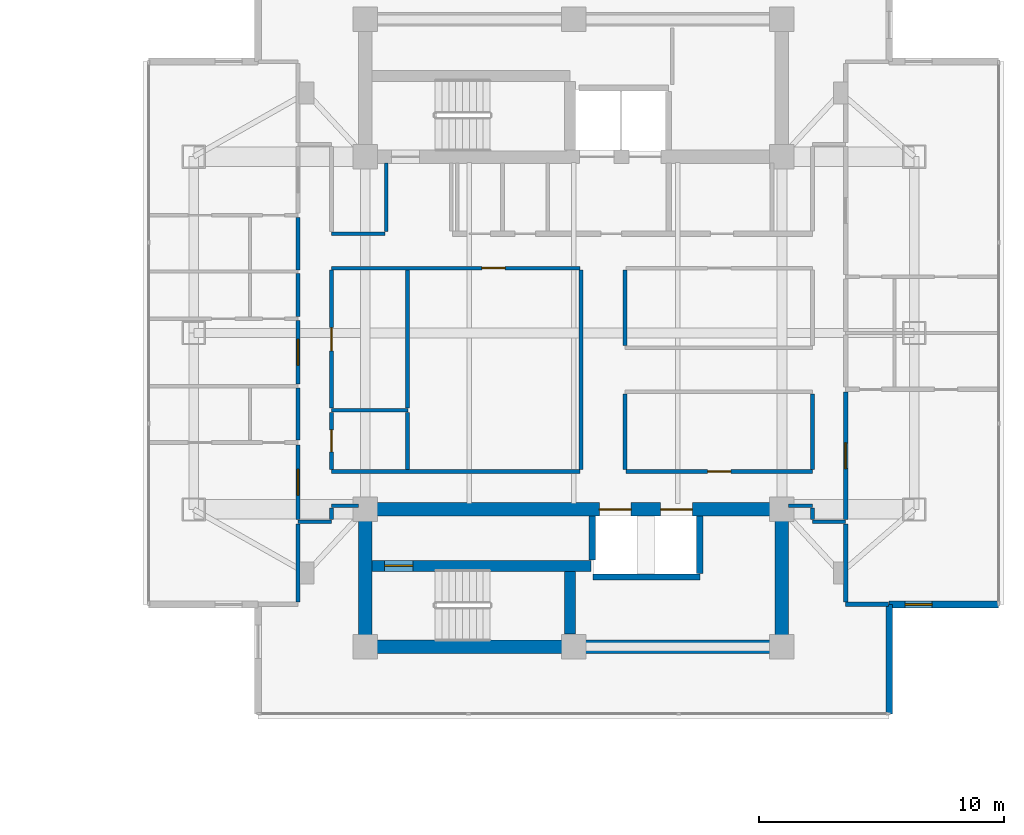
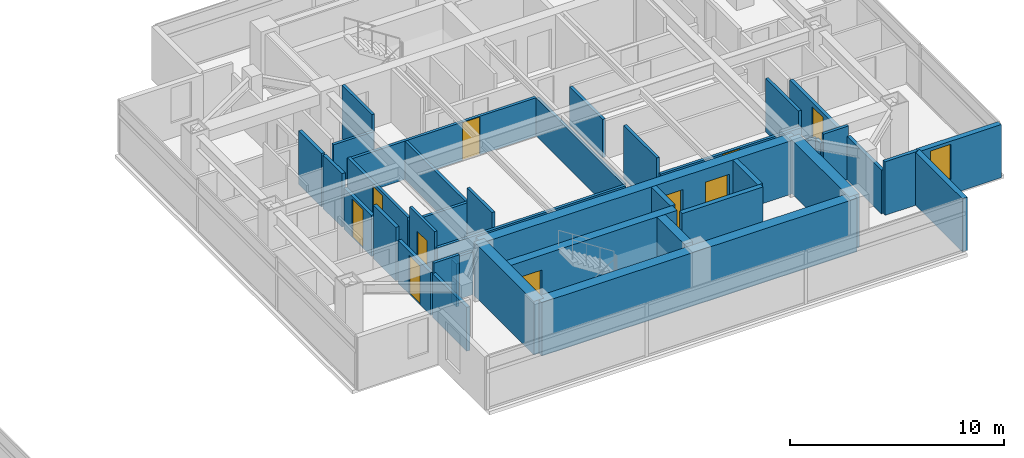
# One storey, part 16 of 24: 40 walls, 10 doors, 1 window, 11 openings.
"""IFC4 building model written with IfcOpenShell, lengths in metres."""

from ifc_helpers import new_model, si_unit, direction, frame, frame_2d, origin, place, context, subcontext, project, spatial, rectangle, extrude, material, layer, layer_set, type_object, element, fill, save


model = new_model("IFC4")

# Units and contexts
model_context = context("Model", 3, precision=1e-05, world=origin(), true_north=direction((0.0, 1.0)))
body_context = subcontext(model_context, "Body", "Model", "MODEL_VIEW")
ifc_project = project(units=[si_unit("LENGTHUNIT", "METRE"), si_unit("AREAUNIT", "SQUARE_METRE"), si_unit("VOLUMEUNIT", "CUBIC_METRE"), si_unit("PLANEANGLEUNIT", "RADIAN"), si_unit("MASSUNIT", "GRAM", prefix="KILO")], contexts=[model_context])

# Site, building, storey
site_placement = place(None, origin())
site = spatial("IfcSite", under=ifc_project, at=site_placement, CompositionType="ELEMENT")
building_placement = place(site_placement, origin())
building = spatial("IfcBuilding", under=site, at=building_placement, Name="Mirazonda Arch Towers", CompositionType="ELEMENT")
storey_placement = place(building_placement, frame((0.0, 0.0, 164.14990234375)))
storey = spatial("IfcBuildingStorey", under=building, at=storey_placement, Name="L46", CompositionType="ELEMENT", Elevation=164.14990234375)

# Wall, opening, door
ifc_material_1 = material(Name="Concrete C50/60", Category="concrete")
ifc_layer_1 = layer(ifc_material_1, 0.449951171875, Name="WALL-CORE-450")
ifc_layer_set_1 = layer_set([ifc_layer_1], Name="Concrete C50/60")
wall_type_1 = type_object("IfcWallType", Name="WALL-CORE-450", PredefinedType="SHEAR", material=ifc_layer_set_1)
wall_1_placement = place(storey_placement, frame((68.27001953125, 18.5, 0.0), z_axis=(0.0, 0.0, 1.0), x_axis=(1.0, 0.0, 0.0)))
wall_1 = element("IfcWall", 1, at=wall_1_placement, inside=storey, type_object=wall_type_1, Name="L46 Stair Core Shear Wall 014", PredefinedType="SHEAR", context=body_context, shape_type="SweptSolid", body=[
    extrude(rectangle(XDim=8.949951171875, YDim=0.449951171875, at=frame_2d((4.47509765625, 0.0))), origin(), (0.0, 0.0, 1.0), 3.050048828125),
])
opening_1_placement = place(wall_1_placement, frame((0.52001953125, 0.0, 0.0)))
opening_1 = element("IfcOpeningElement", 2, at=opening_1_placement, cuts=wall_1, Name="Opening DR-135", PredefinedType="OPENING", context=body_context, shape_type="SweptSolid", body=[
    extrude(rectangle(XDim=1.14990234375, YDim=2.199951171875, at=frame_2d((0.574951171875, 1.10009765625))), frame((0.0, 0.23486328125, 0.0), z_axis=(0.0, -1.0, 0.0), x_axis=(1.0, 0.0, 0.0)), (0.0, 0.0, 1.0), 0.469970703125),
])
ifc_material_2 = material(Name="Architectural Brushed Steel S355", Category="steel")
door_type_1 = type_object("IfcDoorType", Name="DOOR-STAIR-FD90-1150", OperationType="NOTDEFINED", PredefinedType="DOOR", material=ifc_material_2)
door_1_placement = place(opening_1_placement, origin())
door_1 = element("IfcDoor", 3, at=door_1_placement, inside=storey, type_object=door_type_1, Name="L46 East Protected Stair South Door", OperationType="SINGLE_SWING_RIGHT", OverallHeight=2.199951171875, OverallWidth=1.14990234375, PredefinedType="DOOR", context=body_context, shape_type="SweptSolid", body=[
    extrude(rectangle(XDim=1.14990234375, YDim=2.199951171875, at=frame_2d((0.574951171875, 1.10009765625))), frame((0.0, 0.02490234375, 0.0), z_axis=(0.0, -1.0, 0.0), x_axis=(1.0, 0.0, 0.0)), (0.0, 0.0, 1.0), 0.050048828125),
])
fill(opening_1, door_1)

# Walls
wall_2_placement = place(storey_placement, frame((76.360107421875, 15.715087890625, 0.0), z_axis=(0.0, 0.0, 1.0), x_axis=(0.0, 1.0, 0.0)))
element("IfcWall", 4, at=wall_2_placement, inside=storey, type_object=wall_type_1, Name="L46 Stair Core Shear Wall 141", PredefinedType="SHEAR", context=body_context, shape_type="SweptSolid", body=[
    extrude(rectangle(XDim=2.5498046875, YDim=0.449951171875, at=frame_2d((1.27490234375, 0.0))), origin(), (0.0, 0.0, 1.0), 3.050048828125),
])
ifc_layer_2 = layer(ifc_material_1, 0.550048828125, Name="WALL-CORE-550")
ifc_layer_set_2 = layer_set([ifc_layer_2], Name="Concrete C50/60")
wall_type_2 = type_object("IfcWallType", Name="WALL-CORE-550", PredefinedType="SHEAR", material=ifc_layer_set_2)
wall_3_placement = place(storey_placement, frame((68.0, 15.199951171875, 0.0), z_axis=(0.0, 0.0, 1.0), x_axis=(1.0, 0.0, 0.0)))
element("IfcWall", 5, at=wall_3_placement, inside=storey, type_object=wall_type_2, Name="L46 T2S-S Core Shear Wall", PredefinedType="SHEAR", context=body_context, shape_type="SweptSolid", body=[
    extrude(rectangle(XDim=17.0, YDim=0.550048828125, at=frame_2d((8.5, 0.0))), origin(), (0.0, 0.0, 1.0), 3.050048828125),
])
for number, where, z_axis, x_axis, name in (
    (6, (68.0, 15.199951171875, 0.0), (0.0, 0.0, 1.0), (0.0, 1.0, 0.0), "L46 T2S-W Core Shear Wall"),
    (7, (85.0, 15.199951171875, 0.0), (0.0, 0.0, 1.0), (0.0, 1.0, 0.0), "L46 T2S-E Core Shear Wall"),
):
    element("IfcWall", number, at=place(storey_placement, frame(where, z_axis=z_axis, x_axis=x_axis)), inside=storey, type_object=wall_type_2, Name=name, PredefinedType="SHEAR", context=body_context, shape_type="SweptSolid", body=[
        extrude(rectangle(XDim=5.60009765625, YDim=0.550048828125, at=frame_2d((2.800048828125, 0.0))), origin(), (0.0, 0.0, 1.0), 3.050048828125),
    ])

# Wall, openings, doors
wall_4_placement = place(storey_placement, frame((68.0, 20.800048828125, 0.0), z_axis=(0.0, 0.0, 1.0), x_axis=(1.0, 0.0, 0.0)))
wall_4 = element("IfcWall", 8, at=wall_4_placement, inside=storey, type_object=wall_type_2, Name="L46 T2S-N Core Shear Wall", PredefinedType="SHEAR", context=body_context, shape_type="SweptSolid", body=[
    extrude(rectangle(XDim=17.0, YDim=0.550048828125, at=frame_2d((8.5, 0.0))), origin(), (0.0, 0.0, 1.0), 3.050048828125),
])
opening_2_placement = place(wall_4_placement, frame((9.550048828125, 0.0, 0.0)))
opening_2 = element("IfcOpeningElement", 9, at=opening_2_placement, cuts=wall_4, Name="Opening LD-111", PredefinedType="OPENING", context=body_context, shape_type="SweptSolid", body=[
    extrude(rectangle(XDim=1.300048828125, YDim=2.300048828125, at=frame_2d((0.64990234375, 1.14990234375))), frame((0.0, 0.284912109375, 0.0), z_axis=(0.0, -1.0, 0.0), x_axis=(1.0, 0.0, 0.0)), (0.0, 0.0, 1.0), 0.570068359375),
])
opening_3_placement = place(wall_4_placement, frame((12.050048828125, 0.0, 0.0)))
opening_3 = element("IfcOpeningElement", 10, at=opening_3_placement, cuts=wall_4, Name="Opening LD-111", PredefinedType="OPENING", context=body_context, shape_type="SweptSolid", body=[
    extrude(rectangle(XDim=1.300048828125, YDim=2.300048828125, at=frame_2d((0.64990234375, 1.14990234375))), frame((0.0, 0.284912109375, 0.0), z_axis=(0.0, -1.0, 0.0), x_axis=(1.0, 0.0, 0.0)), (0.0, 0.0, 1.0), 0.570068359375),
])
door_type_2 = type_object("IfcDoorType", Name="DOOR-LIFT-LAND-1300", OperationType="NOTDEFINED", PredefinedType="DOOR", material=ifc_material_2)
door_2_placement = place(opening_2_placement, origin())
door_2 = element("IfcDoor", 11, at=door_2_placement, inside=storey, type_object=door_type_2, Name="L46 Lift Landing Sliding Door PL-T2H1", OperationType="DOUBLE_DOOR_SLIDING", OverallHeight=2.300048828125, OverallWidth=1.300048828125, PredefinedType="DOOR", context=body_context, shape_type="SweptSolid", body=[
    extrude(rectangle(XDim=1.300048828125, YDim=2.300048828125, at=frame_2d((0.64990234375, 1.14990234375))), frame((0.0, 0.02490234375, 0.0), z_axis=(0.0, -1.0, 0.0), x_axis=(1.0, 0.0, 0.0)), (0.0, 0.0, 1.0), 0.050048828125),
])
fill(opening_2, door_2)
door_3_placement = place(opening_3_placement, origin())
door_3 = element("IfcDoor", 12, at=door_3_placement, inside=storey, type_object=door_type_2, Name="L46 Lift Landing Sliding Door PL-T2H2", OperationType="DOUBLE_DOOR_SLIDING", OverallHeight=2.300048828125, OverallWidth=1.300048828125, PredefinedType="DOOR", context=body_context, shape_type="SweptSolid", body=[
    extrude(rectangle(XDim=1.300048828125, YDim=2.300048828125, at=frame_2d((0.64990234375, 1.14990234375))), frame((0.0, 0.02490234375, 0.0), z_axis=(0.0, -1.0, 0.0), x_axis=(1.0, 0.0, 0.0)), (0.0, 0.0, 1.0), 0.050048828125),
])
fill(opening_3, door_3)

# Wall, opening, window
ifc_material_3 = material(Name="Precast Concrete C40/50", Category="concrete")
ifc_layer_3 = layer(ifc_material_3, 0.280029296875, Name="WALL-EXT-WALL-280")
ifc_layer_set_3 = layer_set([ifc_layer_3], Name="Precast Concrete C40/50")
wall_type_3 = type_object("IfcWallType", Name="WALL-EXT-WALL-280", PredefinedType="SOLIDWALL", material=ifc_layer_set_3)
wall_5_placement = place(storey_placement, frame((89.38134765625, 16.923828125, 0.0), z_axis=(0.0, 0.0, 1.0), x_axis=(1.0, 0.0, 0.0)))
wall_5 = element("IfcWall", 13, at=wall_5_placement, inside=storey, type_object=wall_type_3, Name="L46 T2 Corner Notch Return Wall WL-L46-T2-CSE1", PredefinedType="SOLIDWALL", context=body_context, shape_type="SweptSolid", body=[
    extrude(rectangle(XDim=4.465087890625, YDim=0.280029296875, at=frame_2d((2.232421875, 0.0))), origin(), (0.0, 0.0, 1.0), 3.030029296875),
])
opening_4_placement = place(wall_5_placement, frame((0.64990234375, 0.0, 0.85009765625)))
opening_4 = element("IfcOpeningElement", 14, at=opening_4_placement, cuts=wall_5, Name="Opening WN-108", PredefinedType="OPENING", context=body_context, shape_type="SweptSolid", body=[
    extrude(rectangle(XDim=1.10009765625, YDim=2.0, at=frame_2d((0.550048828125, 1.0))), frame((0.0, 0.14990234375, 0.0), z_axis=(0.0, -1.0, 0.0), x_axis=(1.0, 0.0, 0.0)), (0.0, 0.0, 1.0), 0.300048828125),
])
ifc_material_4 = material(Name="Insulated Low-E Solar Glass", Category="glass")
window_type = type_object("IfcWindowType", Name="WIN-NOTCH-1100x2000", PartitioningType="SINGLE_PANEL", PredefinedType="WINDOW", material=ifc_material_4)
window_placement = place(opening_4_placement, origin())
window = element("IfcWindow", 15, at=window_placement, inside=storey, type_object=window_type, Name="L46 Punched Facade Window WN-L46-T2-CSE1", OverallHeight=2.0, OverallWidth=1.10009765625, PartitioningType="SINGLE_PANEL", PredefinedType="WINDOW", context=body_context, shape_type="SweptSolid", body=[
    extrude(rectangle(XDim=1.10009765625, YDim=2.0, at=frame_2d((0.550048828125, 1.0))), frame((0.0, 0.030029296875, 0.0), z_axis=(0.0, -1.0, 0.0), x_axis=(1.0, 0.0, 0.0)), (0.0, 0.0, 1.0), 0.06005859375),
])
fill(opening_4, window)

# Walls
wall_6_placement = place(storey_placement, frame((89.38134765625, 12.45849609375, 0.0), z_axis=(0.0, 0.0, 1.0), x_axis=(0.0, 1.0, 0.0)))
element("IfcWall", 16, at=wall_6_placement, inside=storey, type_object=wall_type_3, Name="L46 T2 Corner Notch Return Wall WL-L46-T2-CSE2", PredefinedType="SOLIDWALL", context=body_context, shape_type="SweptSolid", body=[
    extrude(rectangle(XDim=4.46533203125, YDim=0.280029296875, at=frame_2d((2.232666015625, 0.0))), origin(), (0.0, 0.0, 1.0), 3.030029296875),
])
ifc_material_5 = material(Name="Fire-Rated Gypsum Stud Partition")
ifc_layer_4 = layer(ifc_material_5, 0.14990234375, Name="WALL-PART-CORR-150")
ifc_layer_set_4 = layer_set([ifc_layer_4], Name="Fire-Rated Gypsum Stud Partition")
wall_type_4 = type_object("IfcWallType", Name="WALL-PART-CORR-150", PredefinedType="PARTITIONING", material=ifc_layer_set_4)
wall_7_placement = place(storey_placement, frame((65.25, 20.300048828125, 0.0), z_axis=(0.0, 0.0, 1.0), x_axis=(1.0, 0.0, 0.0)))
element("IfcWall", 17, at=wall_7_placement, inside=storey, type_object=wall_type_4, Name="L46 Interior Partition 017", PredefinedType="PARTITIONING", context=body_context, shape_type="SweptSolid", body=[
    extrude(rectangle(XDim=1.3701171875, YDim=0.14990234375, at=frame_2d((0.68505859375, 0.0))), origin(), (0.0, 0.0, 1.0), 3.050048828125),
])
wall_8_placement = place(storey_placement, frame((86.25, 20.300048828125, 0.0), z_axis=(0.0, 0.0, 1.0), x_axis=(1.0, 0.0, 0.0)))
element("IfcWall", 18, at=wall_8_placement, inside=storey, type_object=wall_type_4, Name="L46 Interior Partition 018", PredefinedType="PARTITIONING", context=body_context, shape_type="SweptSolid", body=[
    extrude(rectangle(XDim=1.35009765625, YDim=0.14990234375, at=frame_2d((0.675048828125, 0.0))), origin(), (0.0, 0.0, 1.0), 3.050048828125),
])
wall_9_placement = place(storey_placement, frame((66.6201171875, 20.949951171875, 0.0), z_axis=(0.0, 0.0, 1.0), x_axis=(1.0, 0.0, 0.0)))
element("IfcWall", 19, at=wall_9_placement, inside=storey, type_object=wall_type_4, Name="L46 Interior Partition 019", PredefinedType="PARTITIONING", context=body_context, shape_type="SweptSolid", body=[
    extrude(rectangle(XDim=1.10986328125, YDim=0.14990234375, at=frame_2d((0.554931640625, 0.0))), origin(), (0.0, 0.0, 1.0), 2.442138671875),
])
wall_10_placement = place(storey_placement, frame((85.27001953125, 20.949951171875, 0.0), z_axis=(0.0, 0.0, 1.0), x_axis=(1.0, 0.0, 0.0)))
element("IfcWall", 20, at=wall_10_placement, inside=storey, type_object=wall_type_4, Name="L46 Interior Partition 020", PredefinedType="PARTITIONING", context=body_context, shape_type="SweptSolid", body=[
    extrude(rectangle(XDim=0.97998046875, YDim=0.14990234375, at=frame_2d((0.489990234375, 0.0))), origin(), (0.0, 0.0, 1.0), 2.442138671875),
])
wall_11_placement = place(storey_placement, frame((66.6201171875, 22.35009765625, 0.0), z_axis=(0.0, 0.0, 1.0), x_axis=(1.0, 0.0, 0.0)))
element("IfcWall", 21, at=wall_11_placement, inside=storey, type_object=wall_type_4, Name="L46 Interior Partition 022", PredefinedType="PARTITIONING", context=body_context, shape_type="SweptSolid", body=[
    extrude(rectangle(XDim=10.139892578125, YDim=0.14990234375, at=frame_2d((5.06982421875, 0.0))), origin(), (0.0, 0.0, 1.0), 2.18603515625),
])

# Wall, opening, door
wall_12_placement = place(storey_placement, frame((78.639892578125, 22.35009765625, 0.0), z_axis=(0.0, 0.0, 1.0), x_axis=(1.0, 0.0, 0.0)))
wall_12 = element("IfcWall", 22, at=wall_12_placement, inside=storey, type_object=wall_type_4, Name="L46 Interior Partition 023", PredefinedType="PARTITIONING", context=body_context, shape_type="SweptSolid", body=[
    extrude(rectangle(XDim=7.610107421875, YDim=0.14990234375, at=frame_2d((3.80517578125, 0.0))), origin(), (0.0, 0.0, 1.0), 2.18603515625),
])
opening_5_placement = place(wall_12_placement, frame((3.330078125, 0.0, 0.0)))
opening_5 = element("IfcOpeningElement", 23, at=opening_5_placement, cuts=wall_12, Name="Opening DR-104", PredefinedType="OPENING", context=body_context, shape_type="SweptSolid", body=[
    extrude(rectangle(XDim=0.949951171875, YDim=2.14990234375, at=frame_2d((0.47509765625, 1.074951171875))), frame((0.0, 0.0849609375, 0.0), z_axis=(0.0, -1.0, 0.0), x_axis=(1.0, 0.0, 0.0)), (0.0, 0.0, 1.0), 0.169921875),
])
door_type_3 = type_object("IfcDoorType", Name="DOOR-ROOM-950", OperationType="NOTDEFINED", PredefinedType="DOOR", material=ifc_material_2)
door_4_placement = place(opening_5_placement, origin())
door_4 = element("IfcDoor", 24, at=door_4_placement, inside=storey, type_object=door_type_3, Name="L46 L46 Tower 2 South-East Salon Door", OperationType="SINGLE_SWING_LEFT", OverallHeight=2.14990234375, OverallWidth=0.949951171875, PredefinedType="DOOR", context=body_context, shape_type="SweptSolid", body=[
    extrude(rectangle(XDim=0.949951171875, YDim=2.14990234375, at=frame_2d((0.47509765625, 1.074951171875))), frame((0.0, 0.02490234375, 0.0), z_axis=(0.0, -1.0, 0.0), x_axis=(1.0, 0.0, 0.0)), (0.0, 0.0, 1.0), 0.050048828125),
])
fill(opening_5, door_4)

# Wall
wall_13_placement = place(storey_placement, frame((66.6201171875, 24.85009765625, 0.0), z_axis=(0.0, 0.0, 1.0), x_axis=(1.0, 0.0, 0.0)))
element("IfcWall", 25, at=wall_13_placement, inside=storey, type_object=wall_type_4, Name="L46 Interior Partition 026", PredefinedType="PARTITIONING", context=body_context, shape_type="SweptSolid", body=[
    extrude(rectangle(XDim=3.1298828125, YDim=0.14990234375, at=frame_2d((1.56494140625, 0.0))), origin(), (0.0, 0.0, 1.0), 2.18603515625),
])

# Wall, opening, door
wall_14_placement = place(storey_placement, frame((66.6201171875, 30.64990234375, 0.0), z_axis=(0.0, 0.0, 1.0), x_axis=(1.0, 0.0, 0.0)))
wall_14 = element("IfcWall", 26, at=wall_14_placement, inside=storey, type_object=wall_type_4, Name="L46 Interior Partition 040", PredefinedType="PARTITIONING", context=body_context, shape_type="SweptSolid", body=[
    extrude(rectangle(XDim=10.139892578125, YDim=0.14990234375, at=frame_2d((5.06982421875, 0.0))), origin(), (0.0, 0.0, 1.0), 2.18603515625),
])
opening_6_placement = place(wall_14_placement, frame((6.139892578125, 0.0, 0.0)))
opening_6 = element("IfcOpeningElement", 27, at=opening_6_placement, cuts=wall_14, Name="Opening DR-104", PredefinedType="OPENING", context=body_context, shape_type="SweptSolid", body=[
    extrude(rectangle(XDim=0.949951171875, YDim=2.14990234375, at=frame_2d((0.47509765625, 1.074951171875))), frame((0.0, 0.0849609375, 0.0), z_axis=(0.0, -1.0, 0.0), x_axis=(1.0, 0.0, 0.0)), (0.0, 0.0, 1.0), 0.169921875),
])
door_5_placement = place(opening_6_placement, origin())
door_5 = element("IfcDoor", 28, at=door_5_placement, inside=storey, type_object=door_type_3, Name="L46 L46 East Courtyard Study Door", OperationType="SINGLE_SWING_RIGHT", OverallHeight=2.14990234375, OverallWidth=0.949951171875, PredefinedType="DOOR", context=body_context, shape_type="SweptSolid", body=[
    extrude(rectangle(XDim=0.949951171875, YDim=2.14990234375, at=frame_2d((0.47509765625, 1.074951171875))), frame((0.0, 0.02490234375, 0.0), z_axis=(0.0, -1.0, 0.0), x_axis=(1.0, 0.0, 0.0)), (0.0, 0.0, 1.0), 0.050048828125),
])
fill(opening_6, door_5)

# Walls
wall_15_placement = place(storey_placement, frame((66.6201171875, 32.050048828125, 0.0), z_axis=(0.0, 0.0, 1.0), x_axis=(1.0, 0.0, 0.0)))
element("IfcWall", 29, at=wall_15_placement, inside=storey, type_object=wall_type_4, Name="L46 Interior Partition 043", PredefinedType="PARTITIONING", context=body_context, shape_type="SweptSolid", body=[
    extrude(rectangle(XDim=2.179931640625, YDim=0.14990234375, at=frame_2d((1.08984375, 0.0))), origin(), (0.0, 0.0, 1.0), 2.18603515625),
])
wall_16_placement = place(storey_placement, frame((66.6201171875, 20.385009765625, 0.0), z_axis=(0.0, 0.0, 1.0), x_axis=(0.0, 1.0, 0.0)))
element("IfcWall", 30, at=wall_16_placement, inside=storey, type_object=wall_type_4, Name="L46 Interior Partition 130", PredefinedType="PARTITIONING", context=body_context, shape_type="SweptSolid", body=[
    extrude(rectangle(XDim=0.47998046875, YDim=0.14990234375, at=frame_2d((0.239990234375, 0.0))), origin(), (0.0, 0.0, 1.0), 2.442138671875),
])

# Wall, opening, door
wall_17_placement = place(storey_placement, frame((66.6201171875, 22.43505859375, 0.0), z_axis=(0.0, 0.0, 1.0), x_axis=(0.0, 1.0, 0.0)))
wall_17 = element("IfcWall", 31, at=wall_17_placement, inside=storey, type_object=wall_type_4, Name="L46 Interior Partition 131", PredefinedType="PARTITIONING", context=body_context, shape_type="SweptSolid", body=[
    extrude(rectangle(XDim=2.329833984375, YDim=0.14990234375, at=frame_2d((1.1650390625, 0.0))), origin(), (0.0, 0.0, 1.0), 3.050048828125),
])
opening_7_placement = place(wall_17_placement, frame((0.715087890625, 0.0, 0.0)))
opening_7 = element("IfcOpeningElement", 32, at=opening_7_placement, cuts=wall_17, Name="Opening DR-120", PredefinedType="OPENING", context=body_context, shape_type="SweptSolid", body=[
    extrude(rectangle(XDim=0.89990234375, YDim=2.10009765625, at=frame_2d((0.449951171875, 1.050048828125))), frame((0.0, 0.0849609375, 0.0), z_axis=(0.0, -1.0, 0.0), x_axis=(1.0, 0.0, 0.0)), (0.0, 0.0, 1.0), 0.169921875),
])
door_type_4 = type_object("IfcDoorType", Name="DOOR-WC-900", OperationType="NOTDEFINED", PredefinedType="DOOR", material=ifc_material_2)
door_6_placement = place(opening_7_placement, origin())
door_6 = element("IfcDoor", 33, at=door_6_placement, inside=storey, type_object=door_type_4, Name="L46 Tower 2 Common Accessible WC Door", OperationType="SINGLE_SWING_LEFT", OverallHeight=2.10009765625, OverallWidth=0.89990234375, PredefinedType="DOOR", context=body_context, shape_type="SweptSolid", body=[
    extrude(rectangle(XDim=0.89990234375, YDim=2.10009765625, at=frame_2d((0.449951171875, 1.050048828125))), frame((0.0, 0.02490234375, 0.0), z_axis=(0.0, -1.0, 0.0), x_axis=(1.0, 0.0, 0.0)), (0.0, 0.0, 1.0), 0.050048828125),
])
fill(opening_7, door_6)

wall_18_placement = place(storey_placement, frame((66.6201171875, 24.93505859375, 0.0), z_axis=(0.0, 0.0, 1.0), x_axis=(0.0, 1.0, 0.0)))
wall_18 = element("IfcWall", 34, at=wall_18_placement, inside=storey, type_object=wall_type_4, Name="L46 Interior Partition 132", PredefinedType="PARTITIONING", context=body_context, shape_type="SweptSolid", body=[
    extrude(rectangle(XDim=5.6298828125, YDim=0.14990234375, at=frame_2d((2.81494140625, 0.0))), origin(), (0.0, 0.0, 1.0), 2.34619140625),
])
opening_8_placement = place(wall_18_placement, frame((2.340087890625, 0.0, 0.0)))
opening_8 = element("IfcOpeningElement", 35, at=opening_8_placement, cuts=wall_18, Name="Opening DR-104", PredefinedType="OPENING", context=body_context, shape_type="SweptSolid", body=[
    extrude(rectangle(XDim=0.949951171875, YDim=2.14990234375, at=frame_2d((0.47509765625, 1.074951171875))), frame((0.0, 0.0849609375, 0.0), z_axis=(0.0, -1.0, 0.0), x_axis=(1.0, 0.0, 0.0)), (0.0, 0.0, 1.0), 0.169921875),
])
door_7_placement = place(opening_8_placement, origin())
door_7 = element("IfcDoor", 36, at=door_7_placement, inside=storey, type_object=door_type_3, Name="L46 L46 East Courtyard Reading Study Door", OperationType="SINGLE_SWING_LEFT", OverallHeight=2.14990234375, OverallWidth=0.949951171875, PredefinedType="DOOR", context=body_context, shape_type="SweptSolid", body=[
    extrude(rectangle(XDim=0.949951171875, YDim=2.14990234375, at=frame_2d((0.47509765625, 1.074951171875))), frame((0.0, 0.02490234375, 0.0), z_axis=(0.0, -1.0, 0.0), x_axis=(1.0, 0.0, 0.0)), (0.0, 0.0, 1.0), 0.050048828125),
])
fill(opening_8, door_7)

# Walls
wall_19_placement = place(storey_placement, frame((68.85009765625, 32.135009765625, 0.0), z_axis=(0.0, 0.0, 1.0), x_axis=(0.0, 1.0, 0.0)))
element("IfcWall", 37, at=wall_19_placement, inside=storey, type_object=wall_type_4, Name="L46 Interior Partition 134", PredefinedType="PARTITIONING", context=body_context, shape_type="SweptSolid", body=[
    extrude(rectangle(XDim=2.794921875, YDim=0.14990234375, at=frame_2d((1.3974609375, 0.0))), origin(), (0.0, 0.0, 1.0), 3.050048828125),
])
wall_20_placement = place(storey_placement, frame((69.723388671875, 22.43505859375, 0.0), z_axis=(0.0, 0.0, 1.0), x_axis=(0.0, 1.0, 0.0)))
element("IfcWall", 38, at=wall_20_placement, inside=storey, type_object=wall_type_4, Name="L46 Interior Partition 135", PredefinedType="PARTITIONING", context=body_context, shape_type="SweptSolid", body=[
    extrude(rectangle(XDim=2.329833984375, YDim=0.14990234375, at=frame_2d((1.1650390625, 0.0))), origin(), (0.0, 0.0, 1.0), 3.050048828125),
])
wall_21_placement = place(storey_placement, frame((69.723388671875, 24.93505859375, 0.0), z_axis=(0.0, 0.0, 1.0), x_axis=(0.0, 1.0, 0.0)))
element("IfcWall", 39, at=wall_21_placement, inside=storey, type_object=wall_type_4, Name="L46 Interior Partition 136", PredefinedType="PARTITIONING", context=body_context, shape_type="SweptSolid", body=[
    extrude(rectangle(XDim=5.6298828125, YDim=0.14990234375, at=frame_2d((2.81494140625, 0.0))), origin(), (0.0, 0.0, 1.0), 2.18603515625),
])
wall_22_placement = place(storey_placement, frame((76.800048828125, 22.43505859375, 0.0), z_axis=(0.0, 0.0, 1.0), x_axis=(0.0, 1.0, 0.0)))
element("IfcWall", 40, at=wall_22_placement, inside=storey, type_object=wall_type_4, Name="L46 Interior Partition 143", PredefinedType="PARTITIONING", context=body_context, shape_type="SweptSolid", body=[
    extrude(rectangle(XDim=8.1298828125, YDim=0.14990234375, at=frame_2d((4.06494140625, 0.0))), origin(), (0.0, 0.0, 1.0), 2.18603515625),
])
wall_23_placement = place(storey_placement, frame((78.60009765625, 22.43505859375, 0.0), z_axis=(0.0, 0.0, 1.0), x_axis=(0.0, 1.0, 0.0)))
element("IfcWall", 41, at=wall_23_placement, inside=storey, type_object=wall_type_4, Name="L46 Interior Partition 145", PredefinedType="PARTITIONING", context=body_context, shape_type="SweptSolid", body=[
    extrude(rectangle(XDim=3.079833984375, YDim=0.14990234375, at=frame_2d((1.5400390625, 0.0))), origin(), (0.0, 0.0, 1.0), 3.050048828125),
])
wall_24_placement = place(storey_placement, frame((78.60009765625, 27.485107421875, 0.0), z_axis=(0.0, 0.0, 1.0), x_axis=(0.0, 1.0, 0.0)))
element("IfcWall", 42, at=wall_24_placement, inside=storey, type_object=wall_type_4, Name="L46 Interior Partition 146", PredefinedType="PARTITIONING", context=body_context, shape_type="SweptSolid", body=[
    extrude(rectangle(XDim=3.079833984375, YDim=0.14990234375, at=frame_2d((1.5400390625, 0.0))), origin(), (0.0, 0.0, 1.0), 2.18603515625),
])
wall_25_placement = place(storey_placement, frame((86.25, 20.385009765625, 0.0), z_axis=(0.0, 0.0, 1.0), x_axis=(0.0, 1.0, 0.0)))
element("IfcWall", 43, at=wall_25_placement, inside=storey, type_object=wall_type_4, Name="L46 Interior Partition 152", PredefinedType="PARTITIONING", context=body_context, shape_type="SweptSolid", body=[
    extrude(rectangle(XDim=0.47998046875, YDim=0.14990234375, at=frame_2d((0.239990234375, 0.0))), origin(), (0.0, 0.0, 1.0), 2.442138671875),
])
wall_26_placement = place(storey_placement, frame((86.25, 22.43505859375, 0.0), z_axis=(0.0, 0.0, 1.0), x_axis=(0.0, 1.0, 0.0)))
element("IfcWall", 44, at=wall_26_placement, inside=storey, type_object=wall_type_4, Name="L46 Interior Partition 153", PredefinedType="PARTITIONING", context=body_context, shape_type="SweptSolid", body=[
    extrude(rectangle(XDim=3.079833984375, YDim=0.14990234375, at=frame_2d((1.5400390625, 0.0))), origin(), (0.0, 0.0, 1.0), 3.050048828125),
])
ifc_material_6 = material(Name="Fire-Rated Gypsum Twin-Stud Assembly")
ifc_layer_5 = layer(ifc_material_6, 0.179931640625, Name="WALL-PART-DEMISE-180")
ifc_layer_set_5 = layer_set([ifc_layer_5], Name="Fire-Rated Gypsum Twin-Stud Assembly")
wall_type_5 = type_object("IfcWallType", Name="WALL-PART-DEMISE-180", PredefinedType="PARTITIONING", material=ifc_layer_set_5)
wall_27_placement = place(storey_placement, frame((87.60009765625, 16.924072265625, 0.0), z_axis=(0.0, 0.0, 1.0), x_axis=(1.0, 0.0, 0.0)))
element("IfcWall", 45, at=wall_27_placement, inside=storey, type_object=wall_type_5, Name="L46 Interior Partition 010", PredefinedType="PARTITIONING", context=body_context, shape_type="SweptSolid", body=[
    extrude(rectangle(XDim=1.76123046875, YDim=0.179931640625, at=frame_2d((0.880615234375, 0.0))), origin(), (0.0, 0.0, 1.0), 3.050048828125),
])
wall_28_placement = place(storey_placement, frame((65.25, 17.02392578125, 0.0), z_axis=(0.0, 0.0, 1.0), x_axis=(0.0, 1.0, 0.0)))
element("IfcWall", 46, at=wall_28_placement, inside=storey, type_object=wall_type_5, Name="L46 Interior Partition 122", PredefinedType="PARTITIONING", context=body_context, shape_type="SweptSolid", body=[
    extrude(rectangle(XDim=3.191162109375, YDim=0.179931640625, at=frame_2d((1.595703125, 0.0))), origin(), (0.0, 0.0, 1.0), 2.4931640625),
])

# Wall, opening, door
wall_29_placement = place(storey_placement, frame((65.25, 20.385009765625, 0.0), z_axis=(0.0, 0.0, 1.0), x_axis=(0.0, 1.0, 0.0)))
wall_29 = element("IfcWall", 47, at=wall_29_placement, inside=storey, type_object=wall_type_5, Name="L46 Interior Partition 123", PredefinedType="PARTITIONING", context=body_context, shape_type="SweptSolid", body=[
    extrude(rectangle(XDim=3.049072265625, YDim=0.179931640625, at=frame_2d((1.5244140625, 0.0))), origin(), (0.0, 0.0, 1.0), 2.442138671875),
])
opening_9_placement = place(wall_29_placement, frame((0.99951171875, 0.0, 0.0)))
opening_9 = element("IfcOpeningElement", 48, at=opening_9_placement, cuts=wall_29, Name="Opening DR-121", PredefinedType="OPENING", context=body_context, shape_type="SweptSolid", body=[
    extrude(rectangle(XDim=1.050048828125, YDim=2.199951171875, at=frame_2d((0.52490234375, 1.10009765625))), frame((0.0, 0.099853515625, 0.0), z_axis=(0.0, -1.0, 0.0), x_axis=(1.0, 0.0, 0.0)), (0.0, 0.0, 1.0), 0.199951171875),
])
door_type_5 = type_object("IfcDoorType", Name="DOOR-SUITE-FD60-1050", OperationType="NOTDEFINED", PredefinedType="DOOR", material=ifc_material_2)
door_8_placement = place(opening_9_placement, origin())
door_8 = element("IfcDoor", 49, at=door_8_placement, inside=storey, type_object=door_type_5, Name="L46 Studio Apartment 1 Living Salon Door", OperationType="SINGLE_SWING_RIGHT", OverallHeight=2.199951171875, OverallWidth=1.050048828125, PredefinedType="DOOR", context=body_context, shape_type="SweptSolid", body=[
    extrude(rectangle(XDim=1.050048828125, YDim=2.199951171875, at=frame_2d((0.52490234375, 1.10009765625))), frame((0.0, 0.02490234375, 0.0), z_axis=(0.0, -1.0, 0.0), x_axis=(1.0, 0.0, 0.0)), (0.0, 0.0, 1.0), 0.050048828125),
])
fill(opening_9, door_8)

# Wall
wall_30_placement = place(storey_placement, frame((65.25, 23.634033203125, 0.0), z_axis=(0.0, 0.0, 1.0), x_axis=(0.0, 1.0, 0.0)))
element("IfcWall", 50, at=wall_30_placement, inside=storey, type_object=wall_type_5, Name="L46 Interior Partition 124", PredefinedType="PARTITIONING", context=body_context, shape_type="SweptSolid", body=[
    extrude(rectangle(XDim=2.114990234375, YDim=0.179931640625, at=frame_2d((1.0576171875, 0.0))), origin(), (0.0, 0.0, 1.0), 3.050048828125),
])

# Wall, opening, door
wall_31_placement = place(storey_placement, frame((65.25, 25.9189453125, 0.0), z_axis=(0.0, 0.0, 1.0), x_axis=(0.0, 1.0, 0.0)))
wall_31 = element("IfcWall", 51, at=wall_31_placement, inside=storey, type_object=wall_type_5, Name="L46 Interior Partition 125", PredefinedType="PARTITIONING", context=body_context, shape_type="SweptSolid", body=[
    extrude(rectangle(XDim=2.583984375, YDim=0.179931640625, at=frame_2d((1.2919921875, 0.0))), origin(), (0.0, 0.0, 1.0), 2.34619140625),
])
opening_10_placement = place(wall_31_placement, frame((0.76708984375, 0.0, 0.0)))
opening_10 = element("IfcOpeningElement", 52, at=opening_10_placement, cuts=wall_31, Name="Opening DR-121", PredefinedType="OPENING", context=body_context, shape_type="SweptSolid", body=[
    extrude(rectangle(XDim=1.050048828125, YDim=2.199951171875, at=frame_2d((0.52490234375, 1.10009765625))), frame((0.0, 0.099853515625, 0.0), z_axis=(0.0, -1.0, 0.0), x_axis=(1.0, 0.0, 0.0)), (0.0, 0.0, 1.0), 0.199951171875),
])
door_9_placement = place(opening_10_placement, origin())
door_9 = element("IfcDoor", 53, at=door_9_placement, inside=storey, type_object=door_type_5, Name="L46 Studio Apartment 2 Living Salon Door", OperationType="SINGLE_SWING_LEFT", OverallHeight=2.199951171875, OverallWidth=1.050048828125, PredefinedType="DOOR", context=body_context, shape_type="SweptSolid", body=[
    extrude(rectangle(XDim=1.050048828125, YDim=2.199951171875, at=frame_2d((0.52490234375, 1.10009765625))), frame((0.0, 0.02490234375, 0.0), z_axis=(0.0, -1.0, 0.0), x_axis=(1.0, 0.0, 0.0)), (0.0, 0.0, 1.0), 0.050048828125),
])
fill(opening_10, door_9)

# Walls
wall_32_placement = place(storey_placement, frame((65.25, 28.673095703125, 0.0), z_axis=(0.0, 0.0, 1.0), x_axis=(0.0, 1.0, 0.0)))
element("IfcWall", 54, at=wall_32_placement, inside=storey, type_object=wall_type_5, Name="L46 Interior Partition 126", PredefinedType="PARTITIONING", context=body_context, shape_type="SweptSolid", body=[
    extrude(rectangle(XDim=1.762451171875, YDim=0.179931640625, at=frame_2d((0.88134765625, 0.0))), origin(), (0.0, 0.0, 1.0), 3.050048828125),
])
wall_33_placement = place(storey_placement, frame((65.25, 30.58056640625, 0.0), z_axis=(0.0, 0.0, 1.0), x_axis=(0.0, 1.0, 0.0)))
element("IfcWall", 55, at=wall_33_placement, inside=storey, type_object=wall_type_5, Name="L46 Interior Partition 127", PredefinedType="PARTITIONING", context=body_context, shape_type="SweptSolid", body=[
    extrude(rectangle(XDim=2.142333984375, YDim=0.179931640625, at=frame_2d((1.0712890625, 0.0))), origin(), (0.0, 0.0, 1.0), 3.050048828125),
])
wall_34_placement = place(storey_placement, frame((87.60009765625, 17.02392578125, 0.0), z_axis=(0.0, 0.0, 1.0), x_axis=(0.0, 1.0, 0.0)))
element("IfcWall", 56, at=wall_34_placement, inside=storey, type_object=wall_type_5, Name="L46 Interior Partition 156", PredefinedType="PARTITIONING", context=body_context, shape_type="SweptSolid", body=[
    extrude(rectangle(XDim=3.191162109375, YDim=0.179931640625, at=frame_2d((1.595703125, 0.0))), origin(), (0.0, 0.0, 1.0), 2.4931640625),
])

# Wall, opening, door
wall_35_placement = place(storey_placement, frame((87.60009765625, 20.385009765625, 0.0), z_axis=(0.0, 0.0, 1.0), x_axis=(0.0, 1.0, 0.0)))
wall_35 = element("IfcWall", 57, at=wall_35_placement, inside=storey, type_object=wall_type_5, Name="L46 Interior Partition 157", PredefinedType="PARTITIONING", context=body_context, shape_type="SweptSolid", body=[
    extrude(rectangle(XDim=5.215087890625, YDim=0.179931640625, at=frame_2d((2.607421875, 0.0))), origin(), (0.0, 0.0, 1.0), 2.442138671875),
])
opening_11_placement = place(wall_35_placement, frame((2.08251953125, 0.0, 0.0)))
opening_11 = element("IfcOpeningElement", 58, at=opening_11_placement, cuts=wall_35, Name="Opening DR-121", PredefinedType="OPENING", context=body_context, shape_type="SweptSolid", body=[
    extrude(rectangle(XDim=1.050048828125, YDim=2.199951171875, at=frame_2d((0.52490234375, 1.10009765625))), frame((0.0, 0.099853515625, 0.0), z_axis=(0.0, -1.0, 0.0), x_axis=(1.0, 0.0, 0.0)), (0.0, 0.0, 1.0), 0.199951171875),
])
door_10_placement = place(opening_11_placement, origin())
door_10 = element("IfcDoor", 59, at=door_10_placement, inside=storey, type_object=door_type_5, Name="L46 Studio Apartment 1 Living Salon Door", OperationType="SINGLE_SWING_LEFT", OverallHeight=2.199951171875, OverallWidth=1.050048828125, PredefinedType="DOOR", context=body_context, shape_type="SweptSolid", body=[
    extrude(rectangle(XDim=1.050048828125, YDim=2.199951171875, at=frame_2d((0.52490234375, 1.10009765625))), frame((0.0, 0.02490234375, 0.0), z_axis=(0.0, -1.0, 0.0), x_axis=(1.0, 0.0, 0.0)), (0.0, 0.0, 1.0), 0.050048828125),
])
fill(opening_11, door_10)

# Walls
ifc_material_7 = material(Name="Concrete C40/50", Category="concrete")
ifc_layer_6 = layer(ifc_material_7, 0.25, Name="WALL-SHAFT-250")
ifc_layer_set_6 = layer_set([ifc_layer_6], Name="Concrete C40/50")
wall_type_6 = type_object("IfcWallType", Name="WALL-SHAFT-250", PredefinedType="SOLIDWALL", material=ifc_layer_set_6)
wall_36_placement = place(storey_placement, frame((77.300048828125, 18.050048828125, 0.0), z_axis=(0.0, 0.0, 1.0), x_axis=(1.0, 0.0, 0.0)))
element("IfcWall", 60, at=wall_36_placement, inside=storey, type_object=wall_type_6, Name="L46 Interior Partition 011", PredefinedType="SOLIDWALL", context=body_context, shape_type="SweptSolid", body=[
    extrude(rectangle(XDim=4.349853515625, YDim=0.25, at=frame_2d((2.1748046875, 0.0))), origin(), (0.0, 0.0, 1.0), 3.050048828125),
])
wall_37_placement = place(storey_placement, frame((77.260009765625, 18.735107421875, 0.0), z_axis=(0.0, 0.0, 1.0), x_axis=(0.0, 1.0, 0.0)))
element("IfcWall", 61, at=wall_37_placement, inside=storey, type_object=wall_type_6, Name="L46 Interior Partition 144", PredefinedType="SOLIDWALL", context=body_context, shape_type="SweptSolid", body=[
    extrude(rectangle(XDim=1.794921875, YDim=0.25, at=frame_2d((0.8974609375, 0.0))), origin(), (0.0, 0.0, 1.0), 3.050048828125),
])
wall_38_placement = place(storey_placement, frame((81.64990234375, 18.18505859375, 0.0), z_axis=(0.0, 0.0, 1.0), x_axis=(0.0, 1.0, 0.0)))
element("IfcWall", 62, at=wall_38_placement, inside=storey, type_object=wall_type_6, Name="L46 Interior Partition 150", PredefinedType="SOLIDWALL", context=body_context, shape_type="SweptSolid", body=[
    extrude(rectangle(XDim=2.344970703125, YDim=0.25, at=frame_2d((1.17236328125, 0.0))), origin(), (0.0, 0.0, 1.0), 3.050048828125),
])

save(model, "model.ifc")
